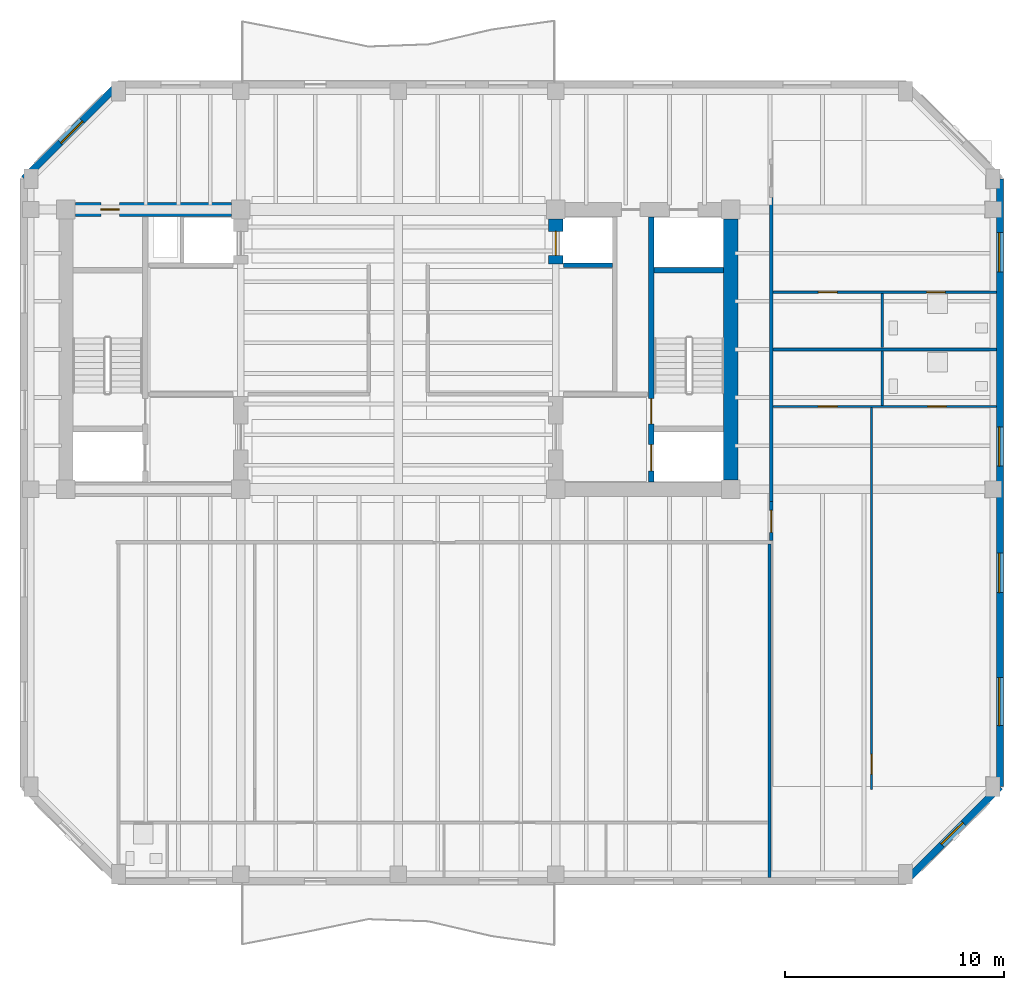
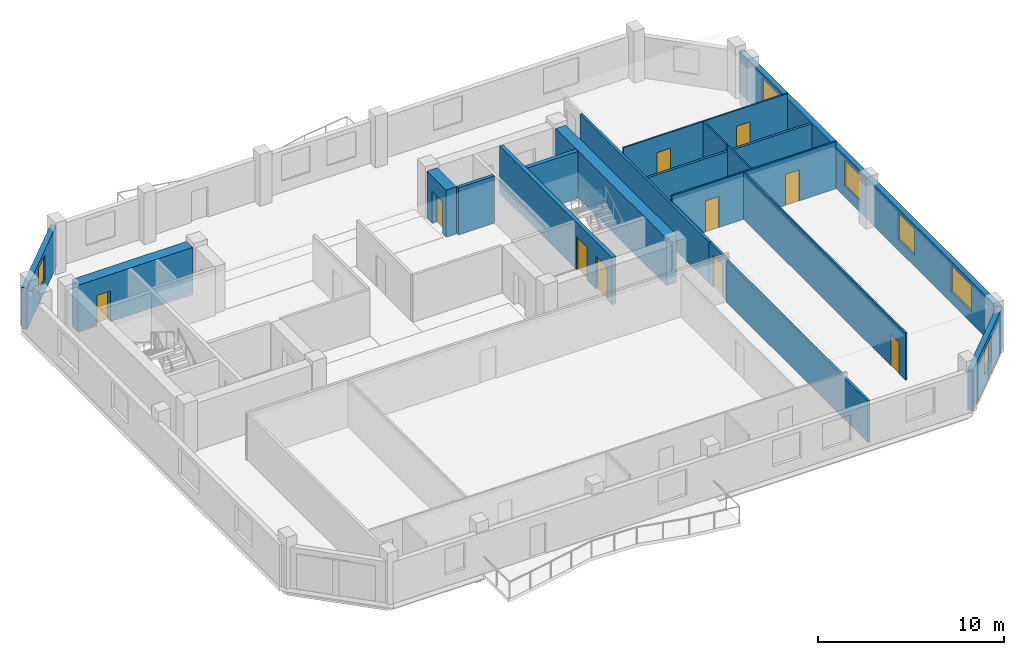
# One storey, part 4 of 9: 18 walls, 10 doors, 6 windows, 16 openings.
"""IFC4 building model written with IfcOpenShell, lengths in metres."""

from ifc_helpers import new_model, si_unit, direction, frame, frame_2d, origin, place, context, subcontext, project, spatial, rectangle, extrude, material, layer, layer_set, type_object, element, fill, save


model = new_model("IFC4")

# Units and contexts
model_context = context("Model", 3, precision=1e-05, world=origin(), true_north=direction((0.0, 1.0)))
body_context = subcontext(model_context, "Body", "Model", "MODEL_VIEW")
ifc_project = project(units=[si_unit("LENGTHUNIT", "METRE"), si_unit("AREAUNIT", "SQUARE_METRE"), si_unit("VOLUMEUNIT", "CUBIC_METRE"), si_unit("PLANEANGLEUNIT", "RADIAN"), si_unit("MASSUNIT", "GRAM", prefix="KILO")], contexts=[model_context])

# Site, building, storey
site_placement = place(None, origin())
site = spatial("IfcSite", under=ifc_project, at=site_placement, CompositionType="ELEMENT")
building_placement = place(site_placement, origin())
building = spatial("IfcBuilding", under=site, at=building_placement, Name="Kranthara Brick Stack", CompositionType="ELEMENT")
storey_placement = place(building_placement, frame((0.0, 0.0, 241.5)))
storey = spatial("IfcBuildingStorey", under=building, at=storey_placement, Name="L63", CompositionType="ELEMENT", Elevation=241.5)

# Wall, opening, window
ifc_material_1 = material(Name="Warm buff clay brick masonry M15", Category="masonry")
ifc_layer_1 = layer(ifc_material_1, 0.320068359375)
ifc_layer_set_1 = layer_set([ifc_layer_1], Name="Warm buff clay brick masonry M15")
wall_type_1 = type_object("IfcWallType", Name="WL-BRK-UPPR-320", PredefinedType="STANDARD", material=ifc_layer_set_1)
wall_1_placement = place(storey_placement, frame((10.8798828125, 35.0, 0.0), z_axis=(0.0, 0.0, 1.0), x_axis=(0.707106781187, 0.707106781187, 0.0)))
wall_1 = element("IfcWall", 1, at=wall_1_placement, inside=storey, type_object=wall_type_1, Name="L63 Exterior Brick Facade Wall NW 1", PredefinedType="STANDARD", context=body_context, shape_type="SweptSolid", body=[
    extrude(rectangle(XDim=6.109619140625, YDim=0.320068359375, at=frame_2d((3.0546875, 0.0))), origin(), (0.0, 0.0, 1.0), 2.72509765625),
])
opening_1_placement = place(wall_1_placement, frame((2.35498046875, 0.0, 0.75)))
opening_1 = element("IfcOpeningElement", 2, at=opening_1_placement, cuts=wall_1, Name="Opening WN10", PredefinedType="OPENING", context=body_context, shape_type="SweptSolid", body=[
    extrude(rectangle(XDim=1.39990234375, YDim=1.64990234375, at=frame_2d((0.699951171875, 0.824951171875))), frame((0.0, 0.169921875, 0.0), z_axis=(0.0, -1.0, 0.0), x_axis=(1.0, 0.0, 0.0)), (0.0, 0.0, 1.0), 0.340087890625),
])
ifc_material_2 = material(Name="Double-glazed low-E solar control glass", Category="glass")
window_type_1 = type_object("IfcWindowType", Name="WN-CHM-1400x1750", PartitioningType="SINGLE_PANEL", PredefinedType="WINDOW", material=ifc_material_2)
window_1_placement = place(opening_1_placement, origin())
window_1 = element("IfcWindow", 3, at=window_1_placement, inside=storey, type_object=window_type_1, Name="L63 NW Chamfer Corner Window", OverallHeight=1.64990234375, OverallWidth=1.39990234375, PartitioningType="SINGLE_PANEL", PredefinedType="WINDOW", context=body_context, shape_type="SweptSolid", body=[
    extrude(rectangle(XDim=1.39990234375, YDim=1.64990234375, at=frame_2d((0.699951171875, 0.824951171875))), frame((0.0, -0.010009765625, 0.0), z_axis=(0.0, -1.0, 0.0), x_axis=(1.0, 0.0, 0.0)), (0.0, 0.0, 1.0), 0.06005859375),
])
fill(opening_1, window_1)

# Wall, openings, windows
wall_2_placement = place(storey_placement, frame((55.52001953125, 35.0, 0.0), z_axis=(0.0, 0.0, 1.0), x_axis=(0.0, -1.0, 0.0)))
wall_2 = element("IfcWall", 4, at=wall_2_placement, inside=storey, type_object=wall_type_1, Name="L63 Exterior Brick Facade Wall EAST 1", PredefinedType="STANDARD", context=body_context, shape_type="SweptSolid", body=[
    extrude(rectangle(XDim=27.800048828125, YDim=0.320068359375, at=frame_2d((13.89990234375, 0.0))), origin(), (0.0, 0.0, 1.0), 2.72509765625),
])
opening_2_placement = place(wall_2_placement, frame((2.4580078125, 0.0, 0.75)))
opening_2 = element("IfcOpeningElement", 5, at=opening_2_placement, cuts=wall_2, Name="Opening WN07", PredefinedType="OPENING", context=body_context, shape_type="SweptSolid", body=[
    extrude(rectangle(XDim=1.800048828125, YDim=1.699951171875, at=frame_2d((0.89990234375, 0.85009765625))), frame((0.0, 0.169921875, 0.0), z_axis=(0.0, -1.0, 0.0), x_axis=(1.0, 0.0, 0.0)), (0.0, 0.0, 1.0), 0.340087890625),
])
opening_3_placement = place(wall_2_placement, frame((11.342041015625, 0.0, 0.75)))
opening_3 = element("IfcOpeningElement", 6, at=opening_3_placement, cuts=wall_2, Name="Opening WN07", PredefinedType="OPENING", context=body_context, shape_type="SweptSolid", body=[
    extrude(rectangle(XDim=1.800048828125, YDim=1.699951171875, at=frame_2d((0.89990234375, 0.85009765625))), frame((0.0, 0.169921875, 0.0), z_axis=(0.0, -1.0, 0.0), x_axis=(1.0, 0.0, 0.0)), (0.0, 0.0, 1.0), 0.340087890625),
])
opening_4_placement = place(wall_2_placement, frame((17.116943359375, 0.0, 0.75)))
opening_4 = element("IfcOpeningElement", 7, at=opening_4_placement, cuts=wall_2, Name="Opening WN07", PredefinedType="OPENING", context=body_context, shape_type="SweptSolid", body=[
    extrude(rectangle(XDim=1.800048828125, YDim=1.699951171875, at=frame_2d((0.89990234375, 0.85009765625))), frame((0.0, 0.169921875, 0.0), z_axis=(0.0, -1.0, 0.0), x_axis=(1.0, 0.0, 0.0)), (0.0, 0.0, 1.0), 0.340087890625),
])
opening_5_placement = place(wall_2_placement, frame((22.80810546875, 0.0, 0.75)))
opening_5 = element("IfcOpeningElement", 8, at=opening_5_placement, cuts=wall_2, Name="Opening WN08", PredefinedType="OPENING", context=body_context, shape_type="SweptSolid", body=[
    extrude(rectangle(XDim=2.199951171875, YDim=1.699951171875, at=frame_2d((1.10009765625, 0.85009765625))), frame((0.0, 0.169921875, 0.0), z_axis=(0.0, -1.0, 0.0), x_axis=(1.0, 0.0, 0.0)), (0.0, 0.0, 1.0), 0.340087890625),
])
ifc_material_3 = material(Name="Double-glazed low-E solar control glass", Category="glass")
window_type_2 = type_object("IfcWindowType", Name="WN-RES-1800x1850", PartitioningType="DOUBLE_PANEL_VERTICAL", PredefinedType="WINDOW", material=ifc_material_3)
window_2_placement = place(opening_2_placement, origin())
window_2 = element("IfcWindow", 9, at=window_2_placement, inside=storey, type_object=window_type_2, Name="L63 East Deep-Set Brick Window 01", OverallHeight=1.699951171875, OverallWidth=1.800048828125, PartitioningType="SINGLE_PANEL", PredefinedType="WINDOW", context=body_context, shape_type="SweptSolid", body=[
    extrude(rectangle(XDim=1.800048828125, YDim=1.699951171875, at=frame_2d((0.89990234375, 0.85009765625))), frame((0.0, -0.010009765625, 0.0), z_axis=(0.0, -1.0, 0.0), x_axis=(1.0, 0.0, 0.0)), (0.0, 0.0, 1.0), 0.06005859375),
])
fill(opening_2, window_2)
window_3_placement = place(opening_3_placement, origin())
window_3 = element("IfcWindow", 10, at=window_3_placement, inside=storey, type_object=window_type_2, Name="L63 East Deep-Set Brick Window 02", OverallHeight=1.699951171875, OverallWidth=1.800048828125, PartitioningType="SINGLE_PANEL", PredefinedType="WINDOW", context=body_context, shape_type="SweptSolid", body=[
    extrude(rectangle(XDim=1.800048828125, YDim=1.699951171875, at=frame_2d((0.89990234375, 0.85009765625))), frame((0.0, -0.010009765625, 0.0), z_axis=(0.0, -1.0, 0.0), x_axis=(1.0, 0.0, 0.0)), (0.0, 0.0, 1.0), 0.06005859375),
])
fill(opening_3, window_3)
window_4_placement = place(opening_4_placement, origin())
window_4 = element("IfcWindow", 11, at=window_4_placement, inside=storey, type_object=window_type_2, Name="L63 East Deep-Set Brick Window 03", OverallHeight=1.699951171875, OverallWidth=1.800048828125, PartitioningType="SINGLE_PANEL", PredefinedType="WINDOW", context=body_context, shape_type="SweptSolid", body=[
    extrude(rectangle(XDim=1.800048828125, YDim=1.699951171875, at=frame_2d((0.89990234375, 0.85009765625))), frame((0.0, -0.010009765625, 0.0), z_axis=(0.0, -1.0, 0.0), x_axis=(1.0, 0.0, 0.0)), (0.0, 0.0, 1.0), 0.06005859375),
])
fill(opening_4, window_4)
ifc_material_4 = material(Name="Double-glazed low-E solar control glass", Category="glass")
window_type_3 = type_object("IfcWindowType", Name="WN-RES-2200x1850", PartitioningType="TRIPLE_PANEL_VERTICAL", PredefinedType="WINDOW", material=ifc_material_4)
window_5_placement = place(opening_5_placement, origin())
window_5 = element("IfcWindow", 12, at=window_5_placement, inside=storey, type_object=window_type_3, Name="L63 East Deep-Set Brick Window 04", OverallHeight=1.699951171875, OverallWidth=2.199951171875, PartitioningType="SINGLE_PANEL", PredefinedType="WINDOW", context=body_context, shape_type="SweptSolid", body=[
    extrude(rectangle(XDim=2.199951171875, YDim=1.699951171875, at=frame_2d((1.10009765625, 0.85009765625))), frame((0.0, -0.010009765625, 0.0), z_axis=(0.0, -1.0, 0.0), x_axis=(1.0, 0.0, 0.0)), (0.0, 0.0, 1.0), 0.06005859375),
])
fill(opening_5, window_5)

# Wall, opening, window
wall_3_placement = place(storey_placement, frame((55.52001953125, 7.199951171875, 0.0), z_axis=(0.0, 0.0, 1.0), x_axis=(-0.707106781187, -0.707106781187, 0.0)))
wall_3 = element("IfcWall", 13, at=wall_3_placement, inside=storey, type_object=wall_type_1, Name="L63 Exterior Brick Facade Wall SE 1", PredefinedType="STANDARD", context=body_context, shape_type="SweptSolid", body=[
    extrude(rectangle(XDim=6.109619140625, YDim=0.320068359375, at=frame_2d((3.0546875, 0.0))), origin(), (0.0, 0.0, 1.0), 2.72509765625),
])
opening_6_placement = place(wall_3_placement, frame((2.35498046875, 0.0, 0.75)))
opening_6 = element("IfcOpeningElement", 14, at=opening_6_placement, cuts=wall_3, Name="Opening WN10", PredefinedType="OPENING", context=body_context, shape_type="SweptSolid", body=[
    extrude(rectangle(XDim=1.39990234375, YDim=1.64990234375, at=frame_2d((0.699951171875, 0.824951171875))), frame((0.0, 0.169921875, 0.0), z_axis=(0.0, -1.0, 0.0), x_axis=(1.0, 0.0, 0.0)), (0.0, 0.0, 1.0), 0.340087890625),
])
window_6_placement = place(opening_6_placement, origin())
window_6 = element("IfcWindow", 15, at=window_6_placement, inside=storey, type_object=window_type_1, Name="L63 SE Chamfer Corner Window", OverallHeight=1.64990234375, OverallWidth=1.39990234375, PartitioningType="SINGLE_PANEL", PredefinedType="WINDOW", context=body_context, shape_type="SweptSolid", body=[
    extrude(rectangle(XDim=1.39990234375, YDim=1.64990234375, at=frame_2d((0.699951171875, 0.824951171875))), frame((0.0, -0.010009765625, 0.0), z_axis=(0.0, -1.0, 0.0), x_axis=(1.0, 0.0, 0.0)), (0.0, 0.0, 1.0), 0.06005859375),
])
fill(opening_6, window_6)

# Wall, openings, doors
ifc_material_5 = material(Name="Concrete C50/60", Category="concrete")
ifc_layer_2 = layer(ifc_material_5, 0.25)
ifc_layer_set_2 = layer_set([ifc_layer_2], Name="Concrete C50/60")
wall_type_2 = type_object("IfcWallType", Name="WL-CORE-250", PredefinedType="SHEAR", material=ifc_layer_set_2)
wall_4_placement = place(storey_placement, frame((39.56494140625, 21.135009765625, 0.0), z_axis=(0.0, 0.0, 1.0), x_axis=(0.0, 1.0, 0.0)))
wall_4 = element("IfcWall", 16, at=wall_4_placement, inside=storey, type_object=wall_type_2, Name="L63 East Core Stair Bearing Spine Wall", PredefinedType="SHEAR", context=body_context, shape_type="SweptSolid", body=[
    extrude(rectangle(XDim=12.1298828125, YDim=0.25, at=frame_2d((6.06494140625, 0.0))), origin(), (0.0, 0.0, 1.0), 3.10009765625),
])
opening_7_placement = place(wall_4_placement, frame((0.514892578125, 0.0, 0.0)))
opening_7 = element("IfcOpeningElement", 17, at=opening_7_placement, cuts=wall_4, Name="Opening LD01", PredefinedType="OPENING", context=body_context, shape_type="SweptSolid", body=[
    extrude(rectangle(XDim=1.199951171875, YDim=2.14990234375, at=frame_2d((0.60009765625, 1.074951171875))), frame((0.0, 0.135009765625, 0.0), z_axis=(0.0, -1.0, 0.0), x_axis=(1.0, 0.0, 0.0)), (0.0, 0.0, 1.0), 0.27001953125),
])
opening_8_placement = place(wall_4_placement, frame((2.6650390625, 0.0, 0.0)))
opening_8 = element("IfcOpeningElement", 18, at=opening_8_placement, cuts=wall_4, Name="Opening D05", PredefinedType="OPENING", context=body_context, shape_type="SweptSolid", body=[
    extrude(rectangle(XDim=1.14990234375, YDim=2.14990234375, at=frame_2d((0.574951171875, 1.074951171875))), frame((0.0, 0.135009765625, 0.0), z_axis=(0.0, -1.0, 0.0), x_axis=(1.0, 0.0, 0.0)), (0.0, 0.0, 1.0), 0.27001953125),
])
ifc_material_6 = material(Name="Stainless steel sliding landing door", Category="steel")
door_type_1 = type_object("IfcDoorType", Name="DR-LD-FF1200", OperationType="DOUBLE_DOOR_SLIDING", PredefinedType="DOOR", material=ifc_material_6)
door_1_placement = place(opening_7_placement, origin())
door_1 = element("IfcDoor", 19, at=door_1_placement, inside=storey, type_object=door_type_1, Name="L63 Firefighting Lift FF-02 Landing Door", OperationType="DOUBLE_DOOR_SLIDING", OverallHeight=2.14990234375, OverallWidth=1.199951171875, PredefinedType="DOOR", context=body_context, shape_type="SweptSolid", body=[
    extrude(rectangle(XDim=1.199951171875, YDim=2.14990234375, at=frame_2d((0.60009765625, 1.074951171875))), frame((0.0, 0.02490234375, 0.0), z_axis=(0.0, -1.0, 0.0), x_axis=(1.0, 0.0, 0.0)), (0.0, 0.0, 1.0), 0.050048828125),
])
fill(opening_7, door_1)
ifc_material_7 = material(Name="Solid-core hardwood timber leaf in steel frame", Category="steel")
door_type_2 = type_object("IfcDoorType", Name="DR-ST-1150", OperationType="NOTDEFINED", PredefinedType="DOOR", material=ifc_material_7)
door_2_placement = place(opening_8_placement, origin())
door_2 = element("IfcDoor", 20, at=door_2_placement, inside=storey, type_object=door_type_2, Name="L63 Exit Stair ST02 Door", OperationType="SINGLE_SWING_LEFT", OverallHeight=2.14990234375, OverallWidth=1.14990234375, PredefinedType="DOOR", context=body_context, shape_type="SweptSolid", body=[
    extrude(rectangle(XDim=1.14990234375, YDim=2.14990234375, at=frame_2d((0.574951171875, 1.074951171875))), frame((0.0, 0.02490234375, 0.0), z_axis=(0.0, -1.0, 0.0), x_axis=(1.0, 0.0, 0.0)), (0.0, 0.0, 1.0), 0.050048828125),
])
fill(opening_8, door_2)

# Wall
wall_5_placement = place(storey_placement, frame((39.68994140625, 30.830078125, 0.0), z_axis=(0.0, 0.0, 1.0), x_axis=(1.0, 0.0, 0.0)))
element("IfcWall", 21, at=wall_5_placement, inside=storey, type_object=wall_type_2, Name="L63 East Stairwell Bearing Wall EST", PredefinedType="SHEAR", context=body_context, shape_type="SweptSolid", body=[
    extrude(rectangle(XDim=3.175048828125, YDim=0.25, at=frame_2d((1.58740234375, 0.0))), origin(), (0.0, 0.0, 1.0), 3.10009765625),
])

# Wall, opening, door
ifc_material_8 = material(Name="Concrete C60/75", Category="concrete")
ifc_layer_3 = layer(ifc_material_8, 0.64990234375)
ifc_layer_set_3 = layer_set([ifc_layer_3], Name="Concrete C60/75")
wall_type_3 = type_object("IfcWallType", Name="WL-CORE-650", PredefinedType="SHEAR", material=ifc_layer_set_3)
wall_6_placement = place(storey_placement, frame((13.22998046875, 33.60009765625, 0.0), z_axis=(0.0, 0.0, 1.0), x_axis=(1.0, 0.0, 0.0)))
wall_6 = element("IfcWall", 22, at=wall_6_placement, inside=storey, type_object=wall_type_3, Name="L63 West Core Shear Wall North", PredefinedType="SHEAR", context=body_context, shape_type="SweptSolid", body=[
    extrude(rectangle(XDim=7.14013671875, YDim=0.64990234375, at=frame_2d((3.570068359375, 0.0))), origin(), (0.0, 0.0, 1.0), 3.10009765625),
])
opening_9_placement = place(wall_6_placement, frame((1.169921875, 0.0, 0.0)))
opening_9 = element("IfcOpeningElement", 23, at=opening_9_placement, cuts=wall_6, Name="Opening D10", PredefinedType="OPENING", context=body_context, shape_type="SweptSolid", body=[
    extrude(rectangle(XDim=0.85009765625, YDim=2.02001953125, at=frame_2d((0.425048828125, 1.010009765625))), frame((0.0, 0.3349609375, 0.0), z_axis=(0.0, -1.0, 0.0), x_axis=(1.0, 0.0, 0.0)), (0.0, 0.0, 1.0), 0.669921875),
])
ifc_material_9 = material(Name="Solid-core hardwood timber leaf in steel frame", Category="steel")
door_type_3 = type_object("IfcDoorType", Name="DR-RSR-850", OperationType="NOTDEFINED", PredefinedType="DOOR", material=ifc_material_9)
door_3_placement = place(opening_9_placement, origin())
door_3 = element("IfcDoor", 24, at=door_3_placement, inside=storey, type_object=door_type_3, Name="L63 West Core Service Door 1", OperationType="SINGLE_SWING_LEFT", OverallHeight=2.02001953125, OverallWidth=0.85009765625, PredefinedType="DOOR", context=body_context, shape_type="SweptSolid", body=[
    extrude(rectangle(XDim=0.85009765625, YDim=2.02001953125, at=frame_2d((0.425048828125, 1.010009765625))), frame((0.0, 0.02490234375, 0.0), z_axis=(0.0, -1.0, 0.0), x_axis=(1.0, 0.0, 0.0)), (0.0, 0.0, 1.0), 0.050048828125),
])
fill(opening_9, door_3)

# Wall
wall_7_placement = place(storey_placement, frame((43.199951171875, 21.22998046875, 0.0), z_axis=(0.0, 0.0, 1.0), x_axis=(0.0, 1.0, 0.0)))
element("IfcWall", 25, at=wall_7_placement, inside=storey, type_object=wall_type_3, Name="L63 East Core Shear Wall East", PredefinedType="SHEAR", context=body_context, shape_type="SweptSolid", body=[
    extrude(rectangle(XDim=11.93994140625, YDim=0.64990234375, at=frame_2d((5.969970703125, 0.0))), origin(), (0.0, 0.0, 1.0), 3.10009765625),
])

# Wall, opening, door
wall_8_placement = place(storey_placement, frame((35.199951171875, 31.10009765625, 0.0), z_axis=(0.0, 0.0, 1.0), x_axis=(0.0, 1.0, 0.0)))
wall_8 = element("IfcWall", 26, at=wall_8_placement, inside=storey, type_object=wall_type_3, Name="L63 East Core High-Rise Lift Wall", PredefinedType="SHEAR", context=body_context, shape_type="SweptSolid", body=[
    extrude(rectangle(XDim=2.06982421875, YDim=0.64990234375, at=frame_2d((1.034912109375, 0.0))), origin(), (0.0, 0.0, 1.0), 3.10009765625),
])
opening_10_placement = place(wall_8_placement, frame((0.39990234375, 0.0, 0.0)))
opening_10 = element("IfcOpeningElement", 27, at=opening_10_placement, cuts=wall_8, Name="Opening LD02", PredefinedType="OPENING", context=body_context, shape_type="SweptSolid", body=[
    extrude(rectangle(XDim=1.10009765625, YDim=2.10009765625, at=frame_2d((0.550048828125, 1.050048828125))), frame((0.0, 0.3349609375, 0.0), z_axis=(0.0, -1.0, 0.0), x_axis=(1.0, 0.0, 0.0)), (0.0, 0.0, 1.0), 0.669921875),
])
ifc_material_10 = material(Name="Stainless steel sliding landing door", Category="steel")
door_type_4 = type_object("IfcDoorType", Name="DR-LD-PL1100", OperationType="DOUBLE_DOOR_SLIDING", PredefinedType="DOOR", material=ifc_material_10)
door_4_placement = place(opening_10_placement, origin())
door_4 = element("IfcDoor", 28, at=door_4_placement, inside=storey, type_object=door_type_4, Name="L63 PL-08 Lift Landing Door", OperationType="DOUBLE_DOOR_SLIDING", OverallHeight=2.10009765625, OverallWidth=1.10009765625, PredefinedType="DOOR", context=body_context, shape_type="SweptSolid", body=[
    extrude(rectangle(XDim=1.10009765625, YDim=2.10009765625, at=frame_2d((0.550048828125, 1.050048828125))), frame((0.0, 0.02490234375, 0.0), z_axis=(0.0, -1.0, 0.0), x_axis=(1.0, 0.0, 0.0)), (0.0, 0.0, 1.0), 0.050048828125),
])
fill(opening_10, door_4)

# Wall, openings, doors
ifc_material_11 = material(Name="Moisture-resistant wet-room partition", Category="other")
ifc_layer_4 = layer(ifc_material_11, 0.10009765625)
ifc_layer_set_4 = layer_set([ifc_layer_4], Name="Moisture-resistant wet-room partition")
wall_type_4 = type_object("IfcWallType", Name="WL-PART-100", PredefinedType="PARTITIONING", material=ifc_layer_set_4)
wall_9_placement = place(storey_placement, frame((45.1298828125, 24.590087890625, 0.0), z_axis=(0.0, 0.0, 1.0), x_axis=(1.0, 0.0, 0.0)))
wall_9 = element("IfcWall", 29, at=wall_9_placement, inside=storey, type_object=wall_type_4, Name="L63 Interior Partition 020", PredefinedType="PARTITIONING", context=body_context, shape_type="SweptSolid", body=[
    extrude(rectangle(XDim=10.22509765625, YDim=0.10009765625, at=frame_2d((5.112548828125, 0.0))), origin(), (0.0, 0.0, 1.0), 3.10009765625),
])
opening_11_placement = place(wall_9_placement, frame((2.0830078125, 0.0, 0.0)))
opening_11 = element("IfcOpeningElement", 30, at=opening_11_placement, cuts=wall_9, Name="Opening D16", PredefinedType="OPENING", context=body_context, shape_type="SweptSolid", body=[
    extrude(rectangle(XDim=0.85009765625, YDim=2.050048828125, at=frame_2d((0.425048828125, 1.02490234375))), frame((0.0, 0.06005859375, 0.0), z_axis=(0.0, -1.0, 0.0), x_axis=(1.0, 0.0, 0.0)), (0.0, 0.0, 1.0), 0.1201171875),
])
opening_12_placement = place(wall_9_placement, frame((7.077880859375, 0.0, 0.0)))
opening_12 = element("IfcOpeningElement", 31, at=opening_12_placement, cuts=wall_9, Name="Opening D17", PredefinedType="OPENING", context=body_context, shape_type="SweptSolid", body=[
    extrude(rectangle(XDim=0.85009765625, YDim=2.050048828125, at=frame_2d((0.425048828125, 1.02490234375))), frame((0.0, 0.06005859375, 0.0), z_axis=(0.0, -1.0, 0.0), x_axis=(1.0, 0.0, 0.0)), (0.0, 0.0, 1.0), 0.1201171875),
])
ifc_material_12 = material(Name="Solid-core hardwood timber leaf in steel frame", Category="steel")
door_type_5 = type_object("IfcDoorType", Name="DR-INT-850", OperationType="NOTDEFINED", PredefinedType="DOOR", material=ifc_material_12)
door_5_placement = place(opening_11_placement, origin())
door_5 = element("IfcDoor", 32, at=door_5_placement, inside=storey, type_object=door_type_5, Name="L63 Unit L63B Kitchen 12", OperationType="SINGLE_SWING_RIGHT", OverallHeight=2.050048828125, OverallWidth=0.85009765625, PredefinedType="DOOR", context=body_context, shape_type="SweptSolid", body=[
    extrude(rectangle(XDim=0.85009765625, YDim=2.050048828125, at=frame_2d((0.425048828125, 1.02490234375))), frame((0.0, 0.02490234375, 0.0), z_axis=(0.0, -1.0, 0.0), x_axis=(1.0, 0.0, 0.0)), (0.0, 0.0, 1.0), 0.050048828125),
])
fill(opening_11, door_5)
ifc_material_13 = material(Name="Solid-core hardwood timber leaf in steel frame", Category="steel")
door_type_6 = type_object("IfcDoorType", Name="DR-WET-850", OperationType="NOTDEFINED", PredefinedType="DOOR", material=ifc_material_13)
door_6_placement = place(opening_12_placement, origin())
door_6 = element("IfcDoor", 33, at=door_6_placement, inside=storey, type_object=door_type_6, Name="L63 Unit L63B Bathroom 13", OperationType="SINGLE_SWING_LEFT", OverallHeight=2.050048828125, OverallWidth=0.85009765625, PredefinedType="DOOR", context=body_context, shape_type="SweptSolid", body=[
    extrude(rectangle(XDim=0.85009765625, YDim=2.050048828125, at=frame_2d((0.425048828125, 1.02490234375))), frame((0.0, 0.02490234375, 0.0), z_axis=(0.0, -1.0, 0.0), x_axis=(1.0, 0.0, 0.0)), (0.0, 0.0, 1.0), 0.050048828125),
])
fill(opening_12, door_6)

# Wall, opening, door
wall_10_placement = place(storey_placement, frame((49.64599609375, 7.080078125, 0.0), z_axis=(0.0, 0.0, 1.0), x_axis=(0.0, 1.0, 0.0)))
wall_10 = element("IfcWall", 34, at=wall_10_placement, inside=storey, type_object=wall_type_4, Name="L63 Interior Partition 021", PredefinedType="PARTITIONING", context=body_context, shape_type="SweptSolid", body=[
    extrude(rectangle(XDim=17.454833984375, YDim=0.10009765625, at=frame_2d((8.7275390625, 0.0))), origin(), (0.0, 0.0, 1.0), 3.10009765625),
])
opening_13_placement = place(wall_10_placement, frame((0.699951171875, 0.0, 0.0)))
opening_13 = element("IfcOpeningElement", 35, at=opening_13_placement, cuts=wall_10, Name="Opening D15", PredefinedType="OPENING", context=body_context, shape_type="SweptSolid", body=[
    extrude(rectangle(XDim=0.89990234375, YDim=2.050048828125, at=frame_2d((0.449951171875, 1.02490234375))), frame((0.0, 0.06005859375, 0.0), z_axis=(0.0, -1.0, 0.0), x_axis=(1.0, 0.0, 0.0)), (0.0, 0.0, 1.0), 0.1201171875),
])
ifc_material_14 = material(Name="Solid-core hardwood timber leaf in steel frame", Category="steel")
door_type_7 = type_object("IfcDoorType", Name="DR-INT-900", OperationType="NOTDEFINED", PredefinedType="DOOR", material=ifc_material_14)
door_7_placement = place(opening_13_placement, origin())
door_7 = element("IfcDoor", 36, at=door_7_placement, inside=storey, type_object=door_type_7, Name="L63 Unit L63B Study 11", OperationType="SINGLE_SWING_LEFT", OverallHeight=2.050048828125, OverallWidth=0.89990234375, PredefinedType="DOOR", context=body_context, shape_type="SweptSolid", body=[
    extrude(rectangle(XDim=0.89990234375, YDim=2.050048828125, at=frame_2d((0.449951171875, 1.02490234375))), frame((0.0, 0.02490234375, 0.0), z_axis=(0.0, -1.0, 0.0), x_axis=(1.0, 0.0, 0.0)), (0.0, 0.0, 1.0), 0.050048828125),
])
fill(opening_13, door_7)

# Wall
wall_11_placement = place(storey_placement, frame((50.135009765625, 24.64501953125, 0.0), z_axis=(0.0, 0.0, 1.0), x_axis=(0.0, 1.0, 0.0)))
element("IfcWall", 37, at=wall_11_placement, inside=storey, type_object=wall_type_4, Name="L63 Interior Partition 022", PredefinedType="PARTITIONING", context=body_context, shape_type="SweptSolid", body=[
    extrude(rectangle(XDim=2.47509765625, YDim=0.10009765625, at=frame_2d((1.237548828125, 0.0))), origin(), (0.0, 0.0, 1.0), 3.10009765625),
])

# Wall, openings, doors
wall_12_placement = place(storey_placement, frame((45.1298828125, 29.81005859375, 0.0), z_axis=(0.0, 0.0, 1.0), x_axis=(1.0, 0.0, 0.0)))
wall_12 = element("IfcWall", 38, at=wall_12_placement, inside=storey, type_object=wall_type_4, Name="L63 Interior Partition 023", PredefinedType="PARTITIONING", context=body_context, shape_type="SweptSolid", body=[
    extrude(rectangle(XDim=10.22509765625, YDim=0.10009765625, at=frame_2d((5.112548828125, 0.0))), origin(), (0.0, 0.0, 1.0), 3.10009765625),
])
opening_14_placement = place(wall_12_placement, frame((2.0830078125, 0.0, 0.0)))
opening_14 = element("IfcOpeningElement", 39, at=opening_14_placement, cuts=wall_12, Name="Opening D16", PredefinedType="OPENING", context=body_context, shape_type="SweptSolid", body=[
    extrude(rectangle(XDim=0.85009765625, YDim=2.050048828125, at=frame_2d((0.425048828125, 1.02490234375))), frame((0.0, 0.06005859375, 0.0), z_axis=(0.0, -1.0, 0.0), x_axis=(1.0, 0.0, 0.0)), (0.0, 0.0, 1.0), 0.1201171875),
])
opening_15_placement = place(wall_12_placement, frame((7.028076171875, 0.0, 0.0)))
opening_15 = element("IfcOpeningElement", 40, at=opening_15_placement, cuts=wall_12, Name="Opening D17", PredefinedType="OPENING", context=body_context, shape_type="SweptSolid", body=[
    extrude(rectangle(XDim=0.85009765625, YDim=2.050048828125, at=frame_2d((0.425048828125, 1.02490234375))), frame((0.0, 0.06005859375, 0.0), z_axis=(0.0, -1.0, 0.0), x_axis=(1.0, 0.0, 0.0)), (0.0, 0.0, 1.0), 0.1201171875),
])
door_8_placement = place(opening_14_placement, origin())
door_8 = element("IfcDoor", 41, at=door_8_placement, inside=storey, type_object=door_type_5, Name="L63 Unit L63C Kitchen 15", OperationType="SINGLE_SWING_LEFT", OverallHeight=2.050048828125, OverallWidth=0.85009765625, PredefinedType="DOOR", context=body_context, shape_type="SweptSolid", body=[
    extrude(rectangle(XDim=0.85009765625, YDim=2.050048828125, at=frame_2d((0.425048828125, 1.02490234375))), frame((0.0, 0.02490234375, 0.0), z_axis=(0.0, -1.0, 0.0), x_axis=(1.0, 0.0, 0.0)), (0.0, 0.0, 1.0), 0.050048828125),
])
fill(opening_14, door_8)
door_9_placement = place(opening_15_placement, origin())
door_9 = element("IfcDoor", 42, at=door_9_placement, inside=storey, type_object=door_type_6, Name="L63 Unit L63C Bathroom 16", OperationType="SINGLE_SWING_RIGHT", OverallHeight=2.050048828125, OverallWidth=0.85009765625, PredefinedType="DOOR", context=body_context, shape_type="SweptSolid", body=[
    extrude(rectangle(XDim=0.85009765625, YDim=2.050048828125, at=frame_2d((0.425048828125, 1.02490234375))), frame((0.0, 0.02490234375, 0.0), z_axis=(0.0, -1.0, 0.0), x_axis=(1.0, 0.0, 0.0)), (0.0, 0.0, 1.0), 0.050048828125),
])
fill(opening_15, door_9)

# Walls
wall_13_placement = place(storey_placement, frame((50.135009765625, 27.280029296875, 0.0), z_axis=(0.0, 0.0, 1.0), x_axis=(0.0, 1.0, 0.0)))
element("IfcWall", 43, at=wall_13_placement, inside=storey, type_object=wall_type_4, Name="L63 Interior Partition 024", PredefinedType="PARTITIONING", context=body_context, shape_type="SweptSolid", body=[
    extrude(rectangle(XDim=2.474853515625, YDim=0.10009765625, at=frame_2d((1.2373046875, 0.0))), origin(), (0.0, 0.0, 1.0), 3.10009765625),
])
ifc_material_15 = material(Name="Fire-rated gypsum board partition", Category="other")
ifc_layer_5 = layer(ifc_material_15, 0.14990234375)
ifc_layer_set_5 = layer_set([ifc_layer_5], Name="Fire-rated gypsum board partition")
wall_type_5 = type_object("IfcWallType", Name="WL-PART-150", PredefinedType="PARTITIONING", material=ifc_layer_set_5)
wall_14_placement = place(storey_placement, frame((44.97998046875, 3.044921875, 0.0), z_axis=(0.0, 0.0, 1.0), x_axis=(0.0, 1.0, 0.0)))
element("IfcWall", 44, at=wall_14_placement, inside=storey, type_object=wall_type_5, Name="L63 Interior Partition 013", PredefinedType="PARTITIONING", context=body_context, shape_type="SweptSolid", body=[
    extrude(rectangle(XDim=15.255126953125, YDim=0.14990234375, at=frame_2d((7.62744140625, 0.0))), origin(), (0.0, 0.0, 1.0), 2.72509765625),
])

# Wall, opening, door
wall_15_placement = place(storey_placement, frame((45.050048828125, 18.4599609375, 0.0), z_axis=(0.0, 0.0, 1.0), x_axis=(0.0, 1.0, 0.0)))
wall_15 = element("IfcWall", 45, at=wall_15_placement, inside=storey, type_object=wall_type_5, Name="L63 Interior Partition 015", PredefinedType="PARTITIONING", context=body_context, shape_type="SweptSolid", body=[
    extrude(rectangle(XDim=1.7900390625, YDim=0.14990234375, at=frame_2d((0.89501953125, 0.0))), origin(), (0.0, 0.0, 1.0), 2.72509765625),
])
opening_16_placement = place(wall_15_placement, frame((0.375, 0.0, 0.0)))
opening_16 = element("IfcOpeningElement", 46, at=opening_16_placement, cuts=wall_15, Name="Opening D08", PredefinedType="OPENING", context=body_context, shape_type="SweptSolid", body=[
    extrude(rectangle(XDim=1.0, YDim=2.10009765625, at=frame_2d((0.5, 1.050048828125))), frame((0.0, 0.0849609375, 0.0), z_axis=(0.0, -1.0, 0.0), x_axis=(1.0, 0.0, 0.0)), (0.0, 0.0, 1.0), 0.169921875),
])
ifc_material_16 = material(Name="Solid-core hardwood timber leaf in steel frame", Category="steel")
door_type_8 = type_object("IfcDoorType", Name="DR-FD-1000", OperationType="NOTDEFINED", PredefinedType="DOOR", material=ifc_material_16)
door_10_placement = place(opening_16_placement, origin())
door_10 = element("IfcDoor", 47, at=door_10_placement, inside=storey, type_object=door_type_8, Name="L63 Unit L63B Entrance 10", OperationType="SINGLE_SWING_RIGHT", OverallHeight=2.10009765625, OverallWidth=1.0, PredefinedType="DOOR", context=body_context, shape_type="SweptSolid", body=[
    extrude(rectangle(XDim=1.0, YDim=2.10009765625, at=frame_2d((0.5, 1.050048828125))), frame((0.0, 0.02490234375, 0.0), z_axis=(0.0, -1.0, 0.0), x_axis=(1.0, 0.0, 0.0)), (0.0, 0.0, 1.0), 0.050048828125),
])
fill(opening_16, door_10)

# Walls
wall_16_placement = place(storey_placement, frame((45.050048828125, 20.25, 0.0), z_axis=(0.0, 0.0, 1.0), x_axis=(0.0, 1.0, 0.0)))
element("IfcWall", 48, at=wall_16_placement, inside=storey, type_object=wall_type_5, Name="L63 Interior Partition 016", PredefinedType="PARTITIONING", context=body_context, shape_type="SweptSolid", body=[
    extrude(rectangle(XDim=13.89990234375, YDim=0.14990234375, at=frame_2d((6.949951171875, 0.0))), origin(), (0.0, 0.0, 1.0), 2.72509765625),
])
wall_17_placement = place(storey_placement, frame((45.1298828125, 27.199951171875, 0.0), z_axis=(0.0, 0.0, 1.0), x_axis=(1.0, 0.0, 0.0)))
element("IfcWall", 49, at=wall_17_placement, inside=storey, type_object=wall_type_5, Name="L63 Interior Partition 019", PredefinedType="PARTITIONING", context=body_context, shape_type="SweptSolid", body=[
    extrude(rectangle(XDim=10.22509765625, YDim=0.14990234375, at=frame_2d((5.112548828125, 0.0))), origin(), (0.0, 0.0, 1.0), 2.72509765625),
])
ifc_material_17 = material(Name="Concrete C40/50", Category="concrete")
ifc_layer_6 = layer(ifc_material_17, 0.199951171875)
ifc_layer_set_6 = layer_set([ifc_layer_6], Name="Concrete C40/50")
wall_type_6 = type_object("IfcWallType", Name="WL-PART-200", PredefinedType="SOLIDWALL", material=ifc_layer_set_6)
wall_18_placement = place(storey_placement, frame((35.550048828125, 31.050048828125, 0.0), z_axis=(0.0, 0.0, 1.0), x_axis=(1.0, 0.0, 0.0)))
element("IfcWall", 50, at=wall_18_placement, inside=storey, type_object=wall_type_6, Name="L63 East Core Cross Wall EE4", PredefinedType="SOLIDWALL", context=body_context, shape_type="SweptSolid", body=[
    extrude(rectangle(XDim=2.25, YDim=0.199951171875, at=frame_2d((1.125, 0.0))), origin(), (0.0, 0.0, 1.0), 3.10009765625),
])

save(model, "model.ifc")
